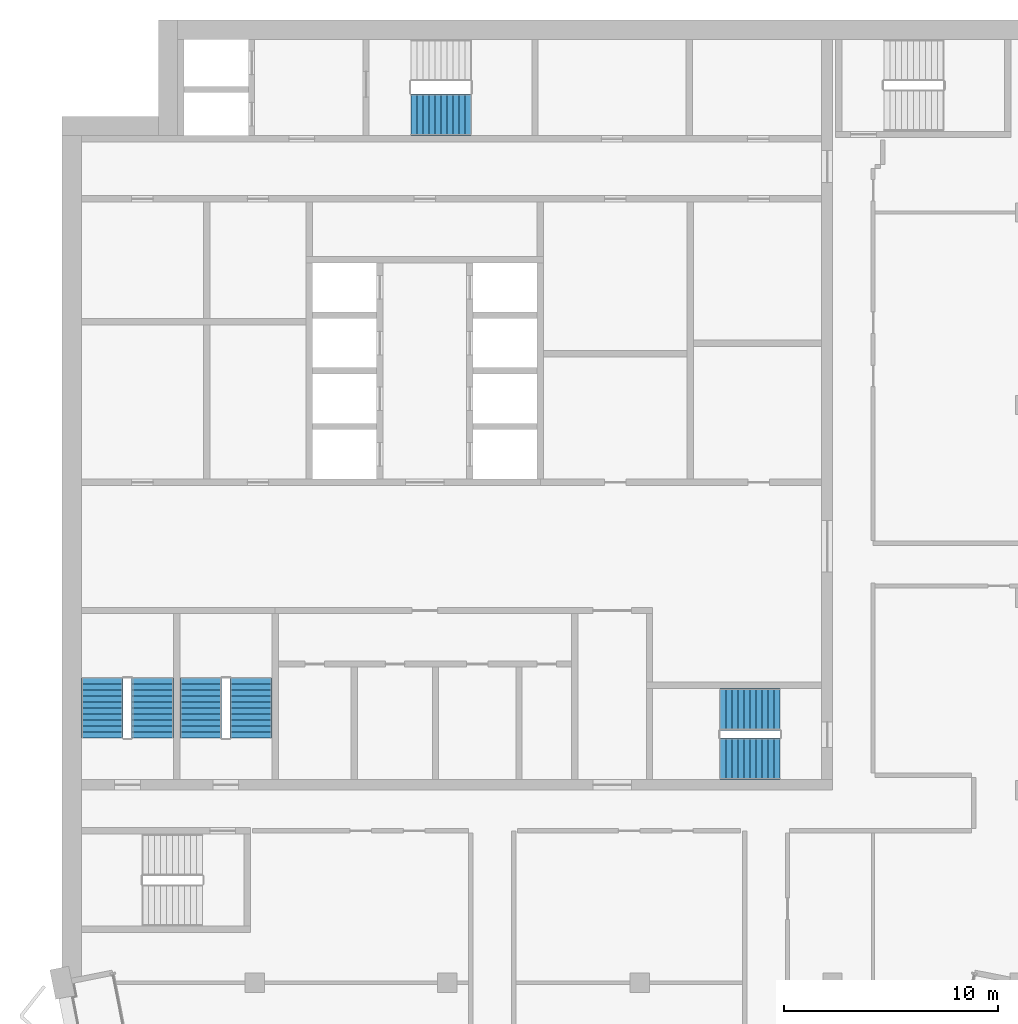
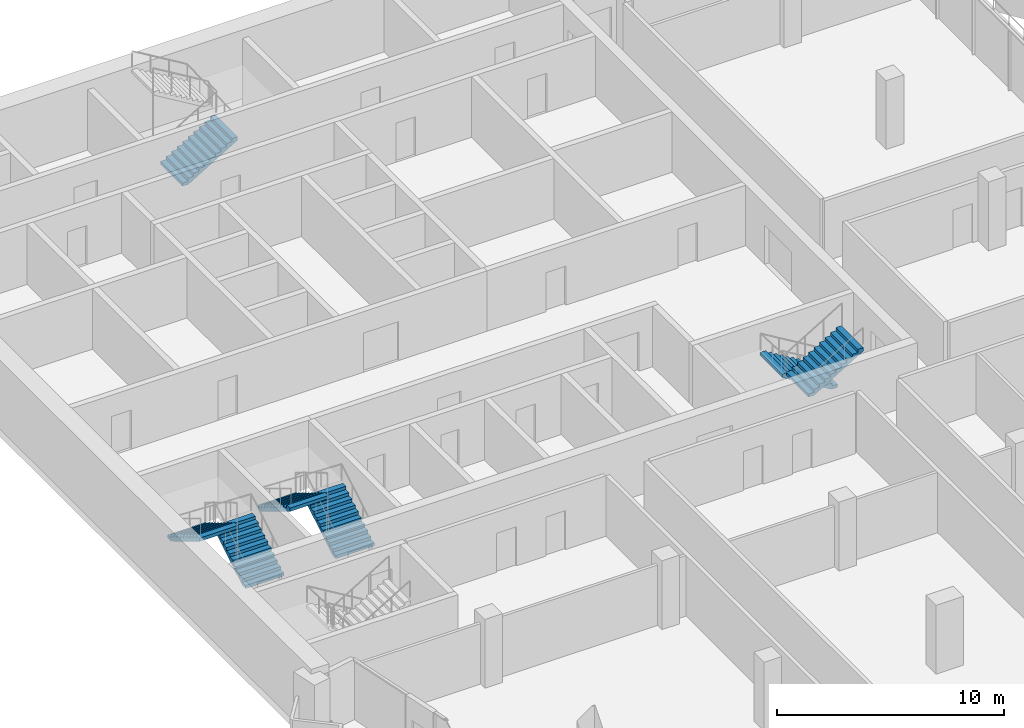
# One storey, part 9 of 13: 7 stair flights, 4 elements without a shape of their own.
"""IFC4 building model written with IfcOpenShell, lengths in metres."""

import ifcopenshell
import ifcopenshell.guid

model = None  # the IFC model being written
_history = None  # IfcOwnerHistory: only IFC2X3 demands one
_inside = {}  # id of a spatial element -> (the spatial element, [elements in it])
_under = {}  # id of a project, library or spatial element -> (it, [spatial elements below it])
_declared = {}  # id of a project -> (the project, [libraries it declares])
_typed = {}  # id of a type object -> (the type object, [elements of that type])
_made_of = {}  # id of a material, layer set ... -> (it, [elements and type objects made of it])


def new_model(schema):
    """Start an empty IFC model of exactly this schema.

    Asked for "IFC4X3", IfcOpenShell would pick the latest addendum, in which some entities
    have other attributes; the version numbers below select the first issue.
    IFC2X3 requires an IfcOwnerHistory on every rooted entity: one is made here for all.
    """
    global model, _history
    if schema == "IFC4X3":
        model = ifcopenshell.file(schema_version=(4, 3, 0, 0))
    else:
        model = ifcopenshell.file(schema=schema)
    _inside.clear()
    _under.clear()
    _declared.clear()
    _typed.clear()
    _made_of.clear()
    _history = None
    if model.schema == "IFC2X3":
        org = make("IfcOrganization", Name="unknown")
        user = make(
            "IfcPersonAndOrganization",
            ThePerson=make("IfcPerson", FamilyName="unknown"),
            TheOrganization=org,
        )
        app = make(
            "IfcApplication",
            ApplicationDeveloper=org,
            Version="unknown",
            ApplicationFullName="unknown",
            ApplicationIdentifier="unknown",
        )
        _history = make(
            "IfcOwnerHistory",
            OwningUser=user,
            OwningApplication=app,
            ChangeAction="ADDED",
            CreationDate=0,
        )
    return model


def make(cls, **values):
    """One entity of the class cls with the attributes given. An attribute that is None is left unset."""
    return model.create_entity(
        cls, **{name: value for name, value in values.items() if value is not None}
    )


def rooted(cls, **values):
    """An entity with a GlobalId (a new one), such as an element, a storey or a relation."""
    return make(cls, GlobalId=ifcopenshell.guid.new(), OwnerHistory=_history, **values)


def si_unit(unit_type, name, prefix=None):
    """IfcSIUnit, for example si_unit("LENGTHUNIT", "METRE", prefix="MILLI")."""
    return make("IfcSIUnit", UnitType=unit_type, Prefix=prefix, Name=name)


def assignment(units):
    """IfcUnitAssignment: the units of a project."""
    return None if units is None else make("IfcUnitAssignment", Units=units)


def point(xyz):
    """IfcCartesianPoint."""
    return None if xyz is None else make("IfcCartesianPoint", Coordinates=xyz)


def direction(xyz):
    """IfcDirection."""
    return None if xyz is None else make("IfcDirection", DirectionRatios=xyz)


def frame(location, z_axis=None, x_axis=None):
    """IfcAxis2Placement3D, a coordinate frame: its origin and axes. An axis left out is left unset."""
    return make(
        "IfcAxis2Placement3D",
        Location=point(location),
        Axis=direction(z_axis),
        RefDirection=direction(x_axis),
    )


def origin():
    """The frame at (0, 0, 0) with its axes left unset."""
    return frame((0.0, 0.0, 0.0))


def place(relative_to, where):
    """IfcLocalPlacement: puts the frame where relative to a parent placement (None: the world)."""
    return make(
        "IfcLocalPlacement", PlacementRelTo=relative_to, RelativePlacement=where
    )


def context(
    kind, dimensions, precision=None, world=None, true_north=None, identifier=None
):
    """IfcGeometricRepresentationContext, for example the 3D "Model" context."""
    return make(
        "IfcGeometricRepresentationContext",
        ContextIdentifier=identifier,
        ContextType=kind,
        CoordinateSpaceDimension=dimensions,
        Precision=precision,
        WorldCoordinateSystem=world,
        TrueNorth=true_north,
    )


def subcontext(parent, identifier, kind, view, scale=None):
    """IfcGeometricRepresentationSubContext, for example "Body" below "Model"."""
    return make(
        "IfcGeometricRepresentationSubContext",
        ContextIdentifier=identifier,
        ContextType=kind,
        ParentContext=parent,
        TargetScale=scale,
        TargetView=view,
    )


def project(units=None, contexts=None):
    """IfcProject with its units and contexts."""
    return rooted(
        "IfcProject",
        Name="project",
        RepresentationContexts=contexts,
        UnitsInContext=assignment(units),
    )


def spatial(cls, under=None, at=None, **own):
    """A site, building, storey or space (cls), placed at a placement, below another one or the project."""
    s = rooted(cls, ObjectPlacement=at, **own)
    if under is not None:
        _under.setdefault(under.id(), (under, []))[1].append(s)
    return s


def polyline(points):
    """IfcPolyline through the points."""
    return make("IfcPolyline", Points=[point(p) for p in points])


def outline(outer, holes=None, kind="AREA"):
    """IfcArbitraryClosedProfileDef: a profile drawn as a closed curve; with holes, ...WithVoids."""
    if holes is None:
        return make("IfcArbitraryClosedProfileDef", ProfileType=kind, OuterCurve=outer)
    return make(
        "IfcArbitraryProfileDefWithVoids",
        ProfileType=kind,
        OuterCurve=outer,
        InnerCurves=holes,
    )


def extrude(swept, where, along, depth):
    """IfcExtrudedAreaSolid: the profile swept, set in the frame where, extruded along a direction by depth."""
    return make(
        "IfcExtrudedAreaSolid",
        SweptArea=swept,
        Position=where,
        ExtrudedDirection=direction(along),
        Depth=depth,
    )


def shape(context_of_items, identifier, shape_type, items):
    """IfcShapeRepresentation: the items that make up one representation, for example the "Body"."""
    return make(
        "IfcShapeRepresentation",
        ContextOfItems=context_of_items,
        RepresentationIdentifier=identifier,
        RepresentationType=shape_type,
        Items=items,
    )


def material(Name=None, Category=None):
    """IfcMaterial."""
    return make("IfcMaterial", Name=Name, Category=Category)


def made_of(thing, what):
    """Note that an element or type object is made of a material, layer set ...; save() writes the relation."""
    if what is not None:
        _made_of.setdefault(what.id(), (what, []))[1].append(thing)
    return thing


def type_object(cls, material=None, **own):
    """A type object (cls), such as IfcWallType, which elements share."""
    return made_of(rooted(cls, **own), material)


def element(
    cls,
    number,
    at=None,
    inside=None,
    cuts=None,
    type_object=None,
    material=None,
    context=None,
    identifier="Body",
    shape_type=None,
    held_by="IfcProductDefinitionShape",
    body=None,
    shapes=None,
    **own,
):
    """One element of the class cls, such as IfcWall. Its Tag is "e" and its number.

    at: its placement. inside: the storey or other place that contains it. cuts: it is an
    opening in that element (IfcRelVoidsElement). A single representation is given by context,
    identifier, shape_type and body (its items); several are given by shapes. held_by: the class
    of the entity that holds the representations. save() writes the other relations.
    """
    e = rooted(cls, Tag="e%d" % number, ObjectPlacement=at, **own)
    if body is not None:
        shapes = [shape(context, identifier, shape_type, body)]
    if shapes is not None:
        e.Representation = make(held_by, Representations=shapes)
    if inside is not None:
        _inside.setdefault(inside.id(), (inside, []))[1].append(e)
    if cuts is not None:
        rooted(
            "IfcRelVoidsElement", RelatingBuildingElement=cuts, RelatedOpeningElement=e
        )
    if type_object is not None:
        _typed.setdefault(type_object.id(), (type_object, []))[1].append(e)
    return made_of(e, material)


def aggregate(whole, parts):
    """IfcRelAggregates: a whole, such as a stair, and the parts it consists of."""
    return rooted("IfcRelAggregates", RelatingObject=whole, RelatedObjects=parts)


def save(model, path):
    """Write the relations noted so far, then the file.

    IfcRelAggregates (storeys below a building ...), IfcRelContainedInSpatialStructure (elements
    in a storey), IfcRelDefinesByType, IfcRelAssociatesMaterial and IfcRelDeclares: one each for
    every whole, place, type object, material and project.
    """
    for whole, parts in _under.values():
        aggregate(whole, parts)
    for where, things in _inside.values():
        rooted(
            "IfcRelContainedInSpatialStructure",
            RelatedElements=things,
            RelatingStructure=where,
        )
    for kind, things in _typed.values():
        rooted("IfcRelDefinesByType", RelatedObjects=things, RelatingType=kind)
    for what, things in _made_of.values():
        rooted("IfcRelAssociatesMaterial", RelatedObjects=things, RelatingMaterial=what)
    for by, libraries in _declared.values():
        rooted("IfcRelDeclares", RelatingContext=by, RelatedDefinitions=libraries)
    model.write(path)


model = new_model("IFC4")

# Units and contexts
model_context = context("Model", 3, precision=1e-05, world=origin(), true_north=direction((0.0, 1.0)))
body_context = subcontext(model_context, "Body", "Model", "MODEL_VIEW")
ifc_project = project(units=[si_unit("LENGTHUNIT", "METRE"), si_unit("AREAUNIT", "SQUARE_METRE"), si_unit("VOLUMEUNIT", "CUBIC_METRE"), si_unit("PLANEANGLEUNIT", "RADIAN"), si_unit("MASSUNIT", "GRAM", prefix="KILO")], contexts=[model_context])

# Site, building, storey
site_placement = place(None, origin())
site = spatial("IfcSite", under=ifc_project, at=site_placement, CompositionType="ELEMENT")
building_placement = place(site_placement, origin())
building = spatial("IfcBuilding", under=site, at=building_placement, Name="Hunhe Ridgeline Campus", CompositionType="ELEMENT")
storey_placement = place(building_placement, frame((0.0, 0.0, 299.300048828125)))
storey = spatial("IfcBuildingStorey", under=building, at=storey_placement, Name="L77", CompositionType="ELEMENT", Elevation=299.300048828125)

# Stair, stair flight
ifc_material = material(Name="Concrete C40", Category="concrete")
stair_type = type_object("IfcStairType", Name="Reinforced concrete dog-leg stair 1950 Concrete C40", PredefinedType="HALF_TURN_STAIR", material=ifc_material)
stair_1_placement = place(storey_placement, origin())
stair_1 = element("IfcStair", 1, at=stair_1_placement, inside=storey, type_object=stair_type, Name="L77 S1", PredefinedType="HALF_TURN_STAIR")
stair_flight_type = type_object("IfcStairFlightType", Name="Reinforced concrete stair flight 1950 Concrete C40", PredefinedType="STRAIGHT", material=ifc_material)
stair_flight_1_placement = place(storey_placement, frame((16.300048828125, 94.574951171875, 0.0), z_axis=(0.0, 0.0, 1.0), x_axis=(1.0, 0.0, 0.0)))
stair_flight_1 = element("IfcStairFlight", 2, at=stair_flight_1_placement, type_object=stair_flight_type, Name="ST1 flight 1", NumberOfRisers=11, NumberOfTreads=10, PredefinedType="STRAIGHT", RiserHeight=0.168181818, TreadLength=0.28, context=body_context, shape_type="SweptSolid", body=[
    extrude(outline(polyline([(0.0, 0.0), (0.0, 0.168212890625), (0.280029296875, 0.168212890625), (0.280029296875, 0.33642578125), (0.56005859375, 0.33642578125), (0.56005859375, 0.504638671875), (0.840087890625, 0.504638671875), (0.840087890625, 0.672607421875), (1.1201171875, 0.672607421875), (1.1201171875, 0.8408203125), (1.39990234375, 0.8408203125), (1.39990234375, 1.009033203125), (1.679931640625, 1.009033203125), (1.679931640625, 1.17724609375), (1.9599609375, 1.17724609375), (1.9599609375, 1.345458984375), (2.239990234375, 1.345458984375), (2.239990234375, 1.513671875), (2.52001953125, 1.513671875), (2.52001953125, 1.681884765625), (2.800048828125, 1.681884765625), (2.800048828125, 1.85009765625), (2.800048828125, 1.5068359375), (0.291015625, 0.0), (0.0, 0.0)])), frame((0.0, 0.97509765625, 0.0), z_axis=(0.0, -1.0, 0.0), x_axis=(1.0, 0.0, 0.0)), (0.0, 0.0, 1.0), 1.949951171875),
    extrude(outline(polyline([(0.030029296875, 0.030029296875), (0.030029296875, 0.13818359375), (0.31005859375, 0.13818359375), (0.31005859375, 0.306396484375), (0.590087890625, 0.306396484375), (0.590087890625, 0.474609375), (0.8701171875, 0.474609375), (0.8701171875, 0.642578125), (1.14990234375, 0.642578125), (1.14990234375, 0.810791015625), (1.429931640625, 0.810791015625), (1.429931640625, 0.97900390625), (1.7099609375, 0.97900390625), (1.7099609375, 1.147216796875), (1.989990234375, 1.147216796875), (1.989990234375, 1.3154296875), (2.27001953125, 1.3154296875), (2.27001953125, 1.483642578125), (2.550048828125, 1.483642578125), (2.550048828125, 1.65185546875), (2.77001953125, 1.65185546875), (2.77001953125, 1.52392578125), (0.28271484375, 0.030029296875), (0.030029296875, 0.030029296875)])), frame((0.0, -0.070068359375, 0.0), z_axis=(0.0, -1.0, 0.0), x_axis=(1.0, 0.0, 0.0)), (0.0, 0.0, 1.0), 0.019775390625),
    extrude(outline(polyline([(0.030029296875, 0.030029296875), (0.030029296875, 0.13818359375), (0.31005859375, 0.13818359375), (0.31005859375, 0.306396484375), (0.590087890625, 0.306396484375), (0.590087890625, 0.474609375), (0.8701171875, 0.474609375), (0.8701171875, 0.642578125), (1.14990234375, 0.642578125), (1.14990234375, 0.810791015625), (1.429931640625, 0.810791015625), (1.429931640625, 0.97900390625), (1.7099609375, 0.97900390625), (1.7099609375, 1.147216796875), (1.989990234375, 1.147216796875), (1.989990234375, 1.3154296875), (2.27001953125, 1.3154296875), (2.27001953125, 1.483642578125), (2.550048828125, 1.483642578125), (2.550048828125, 1.65185546875), (2.77001953125, 1.65185546875), (2.77001953125, 1.52392578125), (0.28271484375, 0.030029296875), (0.030029296875, 0.030029296875)])), frame((0.0, 0.010009765625, 0.0), z_axis=(0.0, -1.0, 0.0), x_axis=(1.0, 0.0, 0.0)), (0.0, 0.0, 1.0), 0.019775390625),
    extrude(outline(polyline([(0.030029296875, 0.030029296875), (0.030029296875, 0.13818359375), (0.31005859375, 0.13818359375), (0.31005859375, 0.306396484375), (0.590087890625, 0.306396484375), (0.590087890625, 0.474609375), (0.8701171875, 0.474609375), (0.8701171875, 0.642578125), (1.14990234375, 0.642578125), (1.14990234375, 0.810791015625), (1.429931640625, 0.810791015625), (1.429931640625, 0.97900390625), (1.7099609375, 0.97900390625), (1.7099609375, 1.147216796875), (1.989990234375, 1.147216796875), (1.989990234375, 1.3154296875), (2.27001953125, 1.3154296875), (2.27001953125, 1.483642578125), (2.550048828125, 1.483642578125), (2.550048828125, 1.65185546875), (2.77001953125, 1.65185546875), (2.77001953125, 1.52392578125), (0.28271484375, 0.030029296875), (0.030029296875, 0.030029296875)])), frame((0.0, 0.090087890625, 0.0), z_axis=(0.0, -1.0, 0.0), x_axis=(1.0, 0.0, 0.0)), (0.0, 0.0, 1.0), 0.019775390625),
])
aggregate(stair_1, [stair_flight_1])

# Stair, stair flights
stair_2_placement = place(storey_placement, origin())
stair_2 = element("IfcStair", 3, at=stair_2_placement, inside=storey, type_object=stair_type, Name="L77 S2", PredefinedType="HALF_TURN_STAIR")
stair_flight_2_placement = place(storey_placement, frame((33.550048828125, 66.77490234375, 0.0), z_axis=(0.0, 0.0, 1.0), x_axis=(-1.0, 0.0, 0.0)))
stair_flight_2 = element("IfcStairFlight", 4, at=stair_flight_2_placement, type_object=stair_flight_type, Name="ST2 flight 1", NumberOfRisers=11, NumberOfTreads=10, PredefinedType="STRAIGHT", RiserHeight=0.168181818, TreadLength=0.28, context=body_context, shape_type="SweptSolid", body=[
    extrude(outline(polyline([(0.0, 0.0), (0.0, 0.168212890625), (0.280029296875, 0.168212890625), (0.280029296875, 0.33642578125), (0.56005859375, 0.33642578125), (0.56005859375, 0.504638671875), (0.840087890625, 0.504638671875), (0.840087890625, 0.672607421875), (1.1201171875, 0.672607421875), (1.1201171875, 0.8408203125), (1.39990234375, 0.8408203125), (1.39990234375, 1.009033203125), (1.679931640625, 1.009033203125), (1.679931640625, 1.17724609375), (1.9599609375, 1.17724609375), (1.9599609375, 1.345458984375), (2.239990234375, 1.345458984375), (2.239990234375, 1.513671875), (2.52001953125, 1.513671875), (2.52001953125, 1.681884765625), (2.800048828125, 1.681884765625), (2.800048828125, 1.85009765625), (2.800048828125, 1.5068359375), (0.291015625, 0.0), (0.0, 0.0)])), frame((0.0, 0.97509765625, 0.0), z_axis=(0.0, -1.0, 0.0), x_axis=(1.0, 0.0, 0.0)), (0.0, 0.0, 1.0), 1.949951171875),
    extrude(outline(polyline([(0.030029296875, 0.030029296875), (0.030029296875, 0.13818359375), (0.31005859375, 0.13818359375), (0.31005859375, 0.306396484375), (0.590087890625, 0.306396484375), (0.590087890625, 0.474609375), (0.8701171875, 0.474609375), (0.8701171875, 0.642578125), (1.14990234375, 0.642578125), (1.14990234375, 0.810791015625), (1.429931640625, 0.810791015625), (1.429931640625, 0.97900390625), (1.7099609375, 0.97900390625), (1.7099609375, 1.147216796875), (1.989990234375, 1.147216796875), (1.989990234375, 1.3154296875), (2.27001953125, 1.3154296875), (2.27001953125, 1.483642578125), (2.550048828125, 1.483642578125), (2.550048828125, 1.65185546875), (2.77001953125, 1.65185546875), (2.77001953125, 1.52392578125), (0.28271484375, 0.030029296875), (0.030029296875, 0.030029296875)])), frame((0.0, -0.070068359375, 0.0), z_axis=(0.0, -1.0, 0.0), x_axis=(1.0, 0.0, 0.0)), (0.0, 0.0, 1.0), 0.019775390625),
    extrude(outline(polyline([(0.030029296875, 0.030029296875), (0.030029296875, 0.13818359375), (0.31005859375, 0.13818359375), (0.31005859375, 0.306396484375), (0.590087890625, 0.306396484375), (0.590087890625, 0.474609375), (0.8701171875, 0.474609375), (0.8701171875, 0.642578125), (1.14990234375, 0.642578125), (1.14990234375, 0.810791015625), (1.429931640625, 0.810791015625), (1.429931640625, 0.97900390625), (1.7099609375, 0.97900390625), (1.7099609375, 1.147216796875), (1.989990234375, 1.147216796875), (1.989990234375, 1.3154296875), (2.27001953125, 1.3154296875), (2.27001953125, 1.483642578125), (2.550048828125, 1.483642578125), (2.550048828125, 1.65185546875), (2.77001953125, 1.65185546875), (2.77001953125, 1.52392578125), (0.28271484375, 0.030029296875), (0.030029296875, 0.030029296875)])), frame((0.0, 0.010009765625, 0.0), z_axis=(0.0, -1.0, 0.0), x_axis=(1.0, 0.0, 0.0)), (0.0, 0.0, 1.0), 0.019775390625),
    extrude(outline(polyline([(0.030029296875, 0.030029296875), (0.030029296875, 0.13818359375), (0.31005859375, 0.13818359375), (0.31005859375, 0.306396484375), (0.590087890625, 0.306396484375), (0.590087890625, 0.474609375), (0.8701171875, 0.474609375), (0.8701171875, 0.642578125), (1.14990234375, 0.642578125), (1.14990234375, 0.810791015625), (1.429931640625, 0.810791015625), (1.429931640625, 0.97900390625), (1.7099609375, 0.97900390625), (1.7099609375, 1.147216796875), (1.989990234375, 1.147216796875), (1.989990234375, 1.3154296875), (2.27001953125, 1.3154296875), (2.27001953125, 1.483642578125), (2.550048828125, 1.483642578125), (2.550048828125, 1.65185546875), (2.77001953125, 1.65185546875), (2.77001953125, 1.52392578125), (0.28271484375, 0.030029296875), (0.030029296875, 0.030029296875)])), frame((0.0, 0.090087890625, 0.0), z_axis=(0.0, -1.0, 0.0), x_axis=(1.0, 0.0, 0.0)), (0.0, 0.0, 1.0), 0.019775390625),
])
stair_flight_3_placement = place(storey_placement, frame((30.75, 64.47509765625, 1.849853515625), z_axis=(0.0, 0.0, 1.0), x_axis=(1.0, 0.0, 0.0)))
stair_flight_3 = element("IfcStairFlight", 5, at=stair_flight_3_placement, type_object=stair_flight_type, Name="ST2 flight 2", NumberOfRisers=11, NumberOfTreads=10, PredefinedType="STRAIGHT", RiserHeight=0.168181818, TreadLength=0.28, context=body_context, shape_type="SweptSolid", body=[
    extrude(outline(polyline([(0.0, 0.0), (0.0, 0.168212890625), (0.280029296875, 0.168212890625), (0.280029296875, 0.33642578125), (0.56005859375, 0.33642578125), (0.56005859375, 0.504638671875), (0.840087890625, 0.504638671875), (0.840087890625, 0.672607421875), (1.1201171875, 0.672607421875), (1.1201171875, 0.8408203125), (1.39990234375, 0.8408203125), (1.39990234375, 1.009033203125), (1.679931640625, 1.009033203125), (1.679931640625, 1.17724609375), (1.9599609375, 1.17724609375), (1.9599609375, 1.345458984375), (2.239990234375, 1.345458984375), (2.239990234375, 1.513671875), (2.52001953125, 1.513671875), (2.52001953125, 1.681884765625), (2.800048828125, 1.681884765625), (2.800048828125, 1.85009765625), (2.800048828125, 1.5068359375), (0.291015625, 0.0), (0.0, 0.0)])), frame((0.0, 0.97509765625, 0.0), z_axis=(0.0, -1.0, 0.0), x_axis=(1.0, 0.0, 0.0)), (0.0, 0.0, 1.0), 1.949951171875),
    extrude(outline(polyline([(0.030029296875, 0.030029296875), (0.030029296875, 0.13818359375), (0.31005859375, 0.13818359375), (0.31005859375, 0.306396484375), (0.590087890625, 0.306396484375), (0.590087890625, 0.474609375), (0.8701171875, 0.474609375), (0.8701171875, 0.642578125), (1.14990234375, 0.642578125), (1.14990234375, 0.810791015625), (1.429931640625, 0.810791015625), (1.429931640625, 0.97900390625), (1.7099609375, 0.97900390625), (1.7099609375, 1.147216796875), (1.989990234375, 1.147216796875), (1.989990234375, 1.3154296875), (2.27001953125, 1.3154296875), (2.27001953125, 1.483642578125), (2.550048828125, 1.483642578125), (2.550048828125, 1.65185546875), (2.77001953125, 1.65185546875), (2.77001953125, 1.52392578125), (0.28271484375, 0.030029296875), (0.030029296875, 0.030029296875)])), frame((0.0, -0.070068359375, 0.0), z_axis=(0.0, -1.0, 0.0), x_axis=(1.0, 0.0, 0.0)), (0.0, 0.0, 1.0), 0.019775390625),
    extrude(outline(polyline([(0.030029296875, 0.030029296875), (0.030029296875, 0.13818359375), (0.31005859375, 0.13818359375), (0.31005859375, 0.306396484375), (0.590087890625, 0.306396484375), (0.590087890625, 0.474609375), (0.8701171875, 0.474609375), (0.8701171875, 0.642578125), (1.14990234375, 0.642578125), (1.14990234375, 0.810791015625), (1.429931640625, 0.810791015625), (1.429931640625, 0.97900390625), (1.7099609375, 0.97900390625), (1.7099609375, 1.147216796875), (1.989990234375, 1.147216796875), (1.989990234375, 1.3154296875), (2.27001953125, 1.3154296875), (2.27001953125, 1.483642578125), (2.550048828125, 1.483642578125), (2.550048828125, 1.65185546875), (2.77001953125, 1.65185546875), (2.77001953125, 1.52392578125), (0.28271484375, 0.030029296875), (0.030029296875, 0.030029296875)])), frame((0.0, 0.010009765625, 0.0), z_axis=(0.0, -1.0, 0.0), x_axis=(1.0, 0.0, 0.0)), (0.0, 0.0, 1.0), 0.019775390625),
    extrude(outline(polyline([(0.030029296875, 0.030029296875), (0.030029296875, 0.13818359375), (0.31005859375, 0.13818359375), (0.31005859375, 0.306396484375), (0.590087890625, 0.306396484375), (0.590087890625, 0.474609375), (0.8701171875, 0.474609375), (0.8701171875, 0.642578125), (1.14990234375, 0.642578125), (1.14990234375, 0.810791015625), (1.429931640625, 0.810791015625), (1.429931640625, 0.97900390625), (1.7099609375, 0.97900390625), (1.7099609375, 1.147216796875), (1.989990234375, 1.147216796875), (1.989990234375, 1.3154296875), (2.27001953125, 1.3154296875), (2.27001953125, 1.483642578125), (2.550048828125, 1.483642578125), (2.550048828125, 1.65185546875), (2.77001953125, 1.65185546875), (2.77001953125, 1.52392578125), (0.28271484375, 0.030029296875), (0.030029296875, 0.030029296875)])), frame((0.0, 0.090087890625, 0.0), z_axis=(0.0, -1.0, 0.0), x_axis=(1.0, 0.0, 0.0)), (0.0, 0.0, 1.0), 0.019775390625),
])
aggregate(stair_2, [stair_flight_2, stair_flight_3])

stair_3_placement = place(storey_placement, origin())
stair_3 = element("IfcStair", 6, at=stair_3_placement, inside=storey, type_object=stair_type, Name="L77 S3", PredefinedType="HALF_TURN_STAIR")
stair_flight_4_placement = place(storey_placement, frame((4.22509765625, 65.449951171875, 0.0), z_axis=(0.0, 0.0, 1.0), x_axis=(0.0, 1.0, 0.0)))
stair_flight_4 = element("IfcStairFlight", 7, at=stair_flight_4_placement, type_object=stair_flight_type, Name="ST3 flight 1", NumberOfRisers=11, NumberOfTreads=10, PredefinedType="STRAIGHT", RiserHeight=0.168181818, TreadLength=0.28, context=body_context, shape_type="SweptSolid", body=[
    extrude(outline(polyline([(0.0, 0.0), (0.0, 0.168212890625), (0.280029296875, 0.168212890625), (0.280029296875, 0.33642578125), (0.56005859375, 0.33642578125), (0.56005859375, 0.504638671875), (0.840087890625, 0.504638671875), (0.840087890625, 0.672607421875), (1.1201171875, 0.672607421875), (1.1201171875, 0.8408203125), (1.39990234375, 0.8408203125), (1.39990234375, 1.009033203125), (1.679931640625, 1.009033203125), (1.679931640625, 1.17724609375), (1.9599609375, 1.17724609375), (1.9599609375, 1.345458984375), (2.239990234375, 1.345458984375), (2.239990234375, 1.513671875), (2.52001953125, 1.513671875), (2.52001953125, 1.681884765625), (2.800048828125, 1.681884765625), (2.800048828125, 1.85009765625), (2.800048828125, 1.5068359375), (0.291015625, 0.0), (0.0, 0.0)])), frame((0.0, 0.97509765625, 0.0), z_axis=(0.0, -1.0, 0.0), x_axis=(1.0, 0.0, 0.0)), (0.0, 0.0, 1.0), 1.949951171875),
    extrude(outline(polyline([(0.030029296875, 0.030029296875), (0.030029296875, 0.13818359375), (0.31005859375, 0.13818359375), (0.31005859375, 0.306396484375), (0.590087890625, 0.306396484375), (0.590087890625, 0.474609375), (0.8701171875, 0.474609375), (0.8701171875, 0.642578125), (1.14990234375, 0.642578125), (1.14990234375, 0.810791015625), (1.429931640625, 0.810791015625), (1.429931640625, 0.97900390625), (1.7099609375, 0.97900390625), (1.7099609375, 1.147216796875), (1.989990234375, 1.147216796875), (1.989990234375, 1.3154296875), (2.27001953125, 1.3154296875), (2.27001953125, 1.483642578125), (2.550048828125, 1.483642578125), (2.550048828125, 1.65185546875), (2.77001953125, 1.65185546875), (2.77001953125, 1.52392578125), (0.28271484375, 0.030029296875), (0.030029296875, 0.030029296875)])), frame((0.0, -0.070068359375, 0.0), z_axis=(0.0, -1.0, 0.0), x_axis=(1.0, 0.0, 0.0)), (0.0, 0.0, 1.0), 0.019775390625),
    extrude(outline(polyline([(0.030029296875, 0.030029296875), (0.030029296875, 0.13818359375), (0.31005859375, 0.13818359375), (0.31005859375, 0.306396484375), (0.590087890625, 0.306396484375), (0.590087890625, 0.474609375), (0.8701171875, 0.474609375), (0.8701171875, 0.642578125), (1.14990234375, 0.642578125), (1.14990234375, 0.810791015625), (1.429931640625, 0.810791015625), (1.429931640625, 0.97900390625), (1.7099609375, 0.97900390625), (1.7099609375, 1.147216796875), (1.989990234375, 1.147216796875), (1.989990234375, 1.3154296875), (2.27001953125, 1.3154296875), (2.27001953125, 1.483642578125), (2.550048828125, 1.483642578125), (2.550048828125, 1.65185546875), (2.77001953125, 1.65185546875), (2.77001953125, 1.52392578125), (0.28271484375, 0.030029296875), (0.030029296875, 0.030029296875)])), frame((0.0, 0.010009765625, 0.0), z_axis=(0.0, -1.0, 0.0), x_axis=(1.0, 0.0, 0.0)), (0.0, 0.0, 1.0), 0.019775390625),
    extrude(outline(polyline([(0.030029296875, 0.030029296875), (0.030029296875, 0.13818359375), (0.31005859375, 0.13818359375), (0.31005859375, 0.306396484375), (0.590087890625, 0.306396484375), (0.590087890625, 0.474609375), (0.8701171875, 0.474609375), (0.8701171875, 0.642578125), (1.14990234375, 0.642578125), (1.14990234375, 0.810791015625), (1.429931640625, 0.810791015625), (1.429931640625, 0.97900390625), (1.7099609375, 0.97900390625), (1.7099609375, 1.147216796875), (1.989990234375, 1.147216796875), (1.989990234375, 1.3154296875), (2.27001953125, 1.3154296875), (2.27001953125, 1.483642578125), (2.550048828125, 1.483642578125), (2.550048828125, 1.65185546875), (2.77001953125, 1.65185546875), (2.77001953125, 1.52392578125), (0.28271484375, 0.030029296875), (0.030029296875, 0.030029296875)])), frame((0.0, 0.090087890625, 0.0), z_axis=(0.0, -1.0, 0.0), x_axis=(1.0, 0.0, 0.0)), (0.0, 0.0, 1.0), 0.019775390625),
])
stair_flight_5_placement = place(storey_placement, frame((1.875, 68.25, 1.849853515625), z_axis=(0.0, 0.0, 1.0), x_axis=(0.0, -1.0, 0.0)))
stair_flight_5 = element("IfcStairFlight", 8, at=stair_flight_5_placement, type_object=stair_flight_type, Name="ST3 flight 2", NumberOfRisers=11, NumberOfTreads=10, PredefinedType="STRAIGHT", RiserHeight=0.168181818, TreadLength=0.28, context=body_context, shape_type="SweptSolid", body=[
    extrude(outline(polyline([(0.0, 0.0), (0.0, 0.168212890625), (0.280029296875, 0.168212890625), (0.280029296875, 0.33642578125), (0.56005859375, 0.33642578125), (0.56005859375, 0.504638671875), (0.840087890625, 0.504638671875), (0.840087890625, 0.672607421875), (1.1201171875, 0.672607421875), (1.1201171875, 0.8408203125), (1.39990234375, 0.8408203125), (1.39990234375, 1.009033203125), (1.679931640625, 1.009033203125), (1.679931640625, 1.17724609375), (1.9599609375, 1.17724609375), (1.9599609375, 1.345458984375), (2.239990234375, 1.345458984375), (2.239990234375, 1.513671875), (2.52001953125, 1.513671875), (2.52001953125, 1.681884765625), (2.800048828125, 1.681884765625), (2.800048828125, 1.85009765625), (2.800048828125, 1.5068359375), (0.291015625, 0.0), (0.0, 0.0)])), frame((0.0, 0.97509765625, 0.0), z_axis=(0.0, -1.0, 0.0), x_axis=(1.0, 0.0, 0.0)), (0.0, 0.0, 1.0), 1.949951171875),
    extrude(outline(polyline([(0.030029296875, 0.030029296875), (0.030029296875, 0.13818359375), (0.31005859375, 0.13818359375), (0.31005859375, 0.306396484375), (0.590087890625, 0.306396484375), (0.590087890625, 0.474609375), (0.8701171875, 0.474609375), (0.8701171875, 0.642578125), (1.14990234375, 0.642578125), (1.14990234375, 0.810791015625), (1.429931640625, 0.810791015625), (1.429931640625, 0.97900390625), (1.7099609375, 0.97900390625), (1.7099609375, 1.147216796875), (1.989990234375, 1.147216796875), (1.989990234375, 1.3154296875), (2.27001953125, 1.3154296875), (2.27001953125, 1.483642578125), (2.550048828125, 1.483642578125), (2.550048828125, 1.65185546875), (2.77001953125, 1.65185546875), (2.77001953125, 1.52392578125), (0.28271484375, 0.030029296875), (0.030029296875, 0.030029296875)])), frame((0.0, -0.070068359375, 0.0), z_axis=(0.0, -1.0, 0.0), x_axis=(1.0, 0.0, 0.0)), (0.0, 0.0, 1.0), 0.019775390625),
    extrude(outline(polyline([(0.030029296875, 0.030029296875), (0.030029296875, 0.13818359375), (0.31005859375, 0.13818359375), (0.31005859375, 0.306396484375), (0.590087890625, 0.306396484375), (0.590087890625, 0.474609375), (0.8701171875, 0.474609375), (0.8701171875, 0.642578125), (1.14990234375, 0.642578125), (1.14990234375, 0.810791015625), (1.429931640625, 0.810791015625), (1.429931640625, 0.97900390625), (1.7099609375, 0.97900390625), (1.7099609375, 1.147216796875), (1.989990234375, 1.147216796875), (1.989990234375, 1.3154296875), (2.27001953125, 1.3154296875), (2.27001953125, 1.483642578125), (2.550048828125, 1.483642578125), (2.550048828125, 1.65185546875), (2.77001953125, 1.65185546875), (2.77001953125, 1.52392578125), (0.28271484375, 0.030029296875), (0.030029296875, 0.030029296875)])), frame((0.0, 0.010009765625, 0.0), z_axis=(0.0, -1.0, 0.0), x_axis=(1.0, 0.0, 0.0)), (0.0, 0.0, 1.0), 0.019775390625),
    extrude(outline(polyline([(0.030029296875, 0.030029296875), (0.030029296875, 0.13818359375), (0.31005859375, 0.13818359375), (0.31005859375, 0.306396484375), (0.590087890625, 0.306396484375), (0.590087890625, 0.474609375), (0.8701171875, 0.474609375), (0.8701171875, 0.642578125), (1.14990234375, 0.642578125), (1.14990234375, 0.810791015625), (1.429931640625, 0.810791015625), (1.429931640625, 0.97900390625), (1.7099609375, 0.97900390625), (1.7099609375, 1.147216796875), (1.989990234375, 1.147216796875), (1.989990234375, 1.3154296875), (2.27001953125, 1.3154296875), (2.27001953125, 1.483642578125), (2.550048828125, 1.483642578125), (2.550048828125, 1.65185546875), (2.77001953125, 1.65185546875), (2.77001953125, 1.52392578125), (0.28271484375, 0.030029296875), (0.030029296875, 0.030029296875)])), frame((0.0, 0.090087890625, 0.0), z_axis=(0.0, -1.0, 0.0), x_axis=(1.0, 0.0, 0.0)), (0.0, 0.0, 1.0), 0.019775390625),
])
aggregate(stair_3, [stair_flight_4, stair_flight_5])

stair_4_placement = place(storey_placement, origin())
stair_4 = element("IfcStair", 9, at=stair_4_placement, inside=storey, type_object=stair_type, Name="L77 S4", PredefinedType="HALF_TURN_STAIR")
stair_flight_6_placement = place(storey_placement, frame((8.824951171875, 65.449951171875, 0.0), z_axis=(0.0, 0.0, 1.0), x_axis=(0.0, 1.0, 0.0)))
stair_flight_6 = element("IfcStairFlight", 10, at=stair_flight_6_placement, type_object=stair_flight_type, Name="ST4 flight 1", NumberOfRisers=11, NumberOfTreads=10, PredefinedType="STRAIGHT", RiserHeight=0.168181818, TreadLength=0.28, context=body_context, shape_type="SweptSolid", body=[
    extrude(outline(polyline([(0.0, 0.0), (0.0, 0.168212890625), (0.280029296875, 0.168212890625), (0.280029296875, 0.33642578125), (0.56005859375, 0.33642578125), (0.56005859375, 0.504638671875), (0.840087890625, 0.504638671875), (0.840087890625, 0.672607421875), (1.1201171875, 0.672607421875), (1.1201171875, 0.8408203125), (1.39990234375, 0.8408203125), (1.39990234375, 1.009033203125), (1.679931640625, 1.009033203125), (1.679931640625, 1.17724609375), (1.9599609375, 1.17724609375), (1.9599609375, 1.345458984375), (2.239990234375, 1.345458984375), (2.239990234375, 1.513671875), (2.52001953125, 1.513671875), (2.52001953125, 1.681884765625), (2.800048828125, 1.681884765625), (2.800048828125, 1.85009765625), (2.800048828125, 1.5068359375), (0.291015625, 0.0), (0.0, 0.0)])), frame((0.0, 0.97509765625, 0.0), z_axis=(0.0, -1.0, 0.0), x_axis=(1.0, 0.0, 0.0)), (0.0, 0.0, 1.0), 1.949951171875),
    extrude(outline(polyline([(0.030029296875, 0.030029296875), (0.030029296875, 0.13818359375), (0.31005859375, 0.13818359375), (0.31005859375, 0.306396484375), (0.590087890625, 0.306396484375), (0.590087890625, 0.474609375), (0.8701171875, 0.474609375), (0.8701171875, 0.642578125), (1.14990234375, 0.642578125), (1.14990234375, 0.810791015625), (1.429931640625, 0.810791015625), (1.429931640625, 0.97900390625), (1.7099609375, 0.97900390625), (1.7099609375, 1.147216796875), (1.989990234375, 1.147216796875), (1.989990234375, 1.3154296875), (2.27001953125, 1.3154296875), (2.27001953125, 1.483642578125), (2.550048828125, 1.483642578125), (2.550048828125, 1.65185546875), (2.77001953125, 1.65185546875), (2.77001953125, 1.52392578125), (0.28271484375, 0.030029296875), (0.030029296875, 0.030029296875)])), frame((0.0, -0.070068359375, 0.0), z_axis=(0.0, -1.0, 0.0), x_axis=(1.0, 0.0, 0.0)), (0.0, 0.0, 1.0), 0.019775390625),
    extrude(outline(polyline([(0.030029296875, 0.030029296875), (0.030029296875, 0.13818359375), (0.31005859375, 0.13818359375), (0.31005859375, 0.306396484375), (0.590087890625, 0.306396484375), (0.590087890625, 0.474609375), (0.8701171875, 0.474609375), (0.8701171875, 0.642578125), (1.14990234375, 0.642578125), (1.14990234375, 0.810791015625), (1.429931640625, 0.810791015625), (1.429931640625, 0.97900390625), (1.7099609375, 0.97900390625), (1.7099609375, 1.147216796875), (1.989990234375, 1.147216796875), (1.989990234375, 1.3154296875), (2.27001953125, 1.3154296875), (2.27001953125, 1.483642578125), (2.550048828125, 1.483642578125), (2.550048828125, 1.65185546875), (2.77001953125, 1.65185546875), (2.77001953125, 1.52392578125), (0.28271484375, 0.030029296875), (0.030029296875, 0.030029296875)])), frame((0.0, 0.010009765625, 0.0), z_axis=(0.0, -1.0, 0.0), x_axis=(1.0, 0.0, 0.0)), (0.0, 0.0, 1.0), 0.019775390625),
    extrude(outline(polyline([(0.030029296875, 0.030029296875), (0.030029296875, 0.13818359375), (0.31005859375, 0.13818359375), (0.31005859375, 0.306396484375), (0.590087890625, 0.306396484375), (0.590087890625, 0.474609375), (0.8701171875, 0.474609375), (0.8701171875, 0.642578125), (1.14990234375, 0.642578125), (1.14990234375, 0.810791015625), (1.429931640625, 0.810791015625), (1.429931640625, 0.97900390625), (1.7099609375, 0.97900390625), (1.7099609375, 1.147216796875), (1.989990234375, 1.147216796875), (1.989990234375, 1.3154296875), (2.27001953125, 1.3154296875), (2.27001953125, 1.483642578125), (2.550048828125, 1.483642578125), (2.550048828125, 1.65185546875), (2.77001953125, 1.65185546875), (2.77001953125, 1.52392578125), (0.28271484375, 0.030029296875), (0.030029296875, 0.030029296875)])), frame((0.0, 0.090087890625, 0.0), z_axis=(0.0, -1.0, 0.0), x_axis=(1.0, 0.0, 0.0)), (0.0, 0.0, 1.0), 0.019775390625),
])
stair_flight_7_placement = place(storey_placement, frame((6.47509765625, 68.25, 1.849853515625), z_axis=(0.0, 0.0, 1.0), x_axis=(0.0, -1.0, 0.0)))
stair_flight_7 = element("IfcStairFlight", 11, at=stair_flight_7_placement, type_object=stair_flight_type, Name="ST4 flight 2", NumberOfRisers=11, NumberOfTreads=10, PredefinedType="STRAIGHT", RiserHeight=0.168181818, TreadLength=0.28, context=body_context, shape_type="SweptSolid", body=[
    extrude(outline(polyline([(0.0, 0.0), (0.0, 0.168212890625), (0.280029296875, 0.168212890625), (0.280029296875, 0.33642578125), (0.56005859375, 0.33642578125), (0.56005859375, 0.504638671875), (0.840087890625, 0.504638671875), (0.840087890625, 0.672607421875), (1.1201171875, 0.672607421875), (1.1201171875, 0.8408203125), (1.39990234375, 0.8408203125), (1.39990234375, 1.009033203125), (1.679931640625, 1.009033203125), (1.679931640625, 1.17724609375), (1.9599609375, 1.17724609375), (1.9599609375, 1.345458984375), (2.239990234375, 1.345458984375), (2.239990234375, 1.513671875), (2.52001953125, 1.513671875), (2.52001953125, 1.681884765625), (2.800048828125, 1.681884765625), (2.800048828125, 1.85009765625), (2.800048828125, 1.5068359375), (0.291015625, 0.0), (0.0, 0.0)])), frame((0.0, 0.97509765625, 0.0), z_axis=(0.0, -1.0, 0.0), x_axis=(1.0, 0.0, 0.0)), (0.0, 0.0, 1.0), 1.949951171875),
    extrude(outline(polyline([(0.030029296875, 0.030029296875), (0.030029296875, 0.13818359375), (0.31005859375, 0.13818359375), (0.31005859375, 0.306396484375), (0.590087890625, 0.306396484375), (0.590087890625, 0.474609375), (0.8701171875, 0.474609375), (0.8701171875, 0.642578125), (1.14990234375, 0.642578125), (1.14990234375, 0.810791015625), (1.429931640625, 0.810791015625), (1.429931640625, 0.97900390625), (1.7099609375, 0.97900390625), (1.7099609375, 1.147216796875), (1.989990234375, 1.147216796875), (1.989990234375, 1.3154296875), (2.27001953125, 1.3154296875), (2.27001953125, 1.483642578125), (2.550048828125, 1.483642578125), (2.550048828125, 1.65185546875), (2.77001953125, 1.65185546875), (2.77001953125, 1.52392578125), (0.28271484375, 0.030029296875), (0.030029296875, 0.030029296875)])), frame((0.0, -0.070068359375, 0.0), z_axis=(0.0, -1.0, 0.0), x_axis=(1.0, 0.0, 0.0)), (0.0, 0.0, 1.0), 0.019775390625),
    extrude(outline(polyline([(0.030029296875, 0.030029296875), (0.030029296875, 0.13818359375), (0.31005859375, 0.13818359375), (0.31005859375, 0.306396484375), (0.590087890625, 0.306396484375), (0.590087890625, 0.474609375), (0.8701171875, 0.474609375), (0.8701171875, 0.642578125), (1.14990234375, 0.642578125), (1.14990234375, 0.810791015625), (1.429931640625, 0.810791015625), (1.429931640625, 0.97900390625), (1.7099609375, 0.97900390625), (1.7099609375, 1.147216796875), (1.989990234375, 1.147216796875), (1.989990234375, 1.3154296875), (2.27001953125, 1.3154296875), (2.27001953125, 1.483642578125), (2.550048828125, 1.483642578125), (2.550048828125, 1.65185546875), (2.77001953125, 1.65185546875), (2.77001953125, 1.52392578125), (0.28271484375, 0.030029296875), (0.030029296875, 0.030029296875)])), frame((0.0, 0.010009765625, 0.0), z_axis=(0.0, -1.0, 0.0), x_axis=(1.0, 0.0, 0.0)), (0.0, 0.0, 1.0), 0.019775390625),
    extrude(outline(polyline([(0.030029296875, 0.030029296875), (0.030029296875, 0.13818359375), (0.31005859375, 0.13818359375), (0.31005859375, 0.306396484375), (0.590087890625, 0.306396484375), (0.590087890625, 0.474609375), (0.8701171875, 0.474609375), (0.8701171875, 0.642578125), (1.14990234375, 0.642578125), (1.14990234375, 0.810791015625), (1.429931640625, 0.810791015625), (1.429931640625, 0.97900390625), (1.7099609375, 0.97900390625), (1.7099609375, 1.147216796875), (1.989990234375, 1.147216796875), (1.989990234375, 1.3154296875), (2.27001953125, 1.3154296875), (2.27001953125, 1.483642578125), (2.550048828125, 1.483642578125), (2.550048828125, 1.65185546875), (2.77001953125, 1.65185546875), (2.77001953125, 1.52392578125), (0.28271484375, 0.030029296875), (0.030029296875, 0.030029296875)])), frame((0.0, 0.090087890625, 0.0), z_axis=(0.0, -1.0, 0.0), x_axis=(1.0, 0.0, 0.0)), (0.0, 0.0, 1.0), 0.019775390625),
])
aggregate(stair_4, [stair_flight_6, stair_flight_7])

save(model, "model.ifc")
